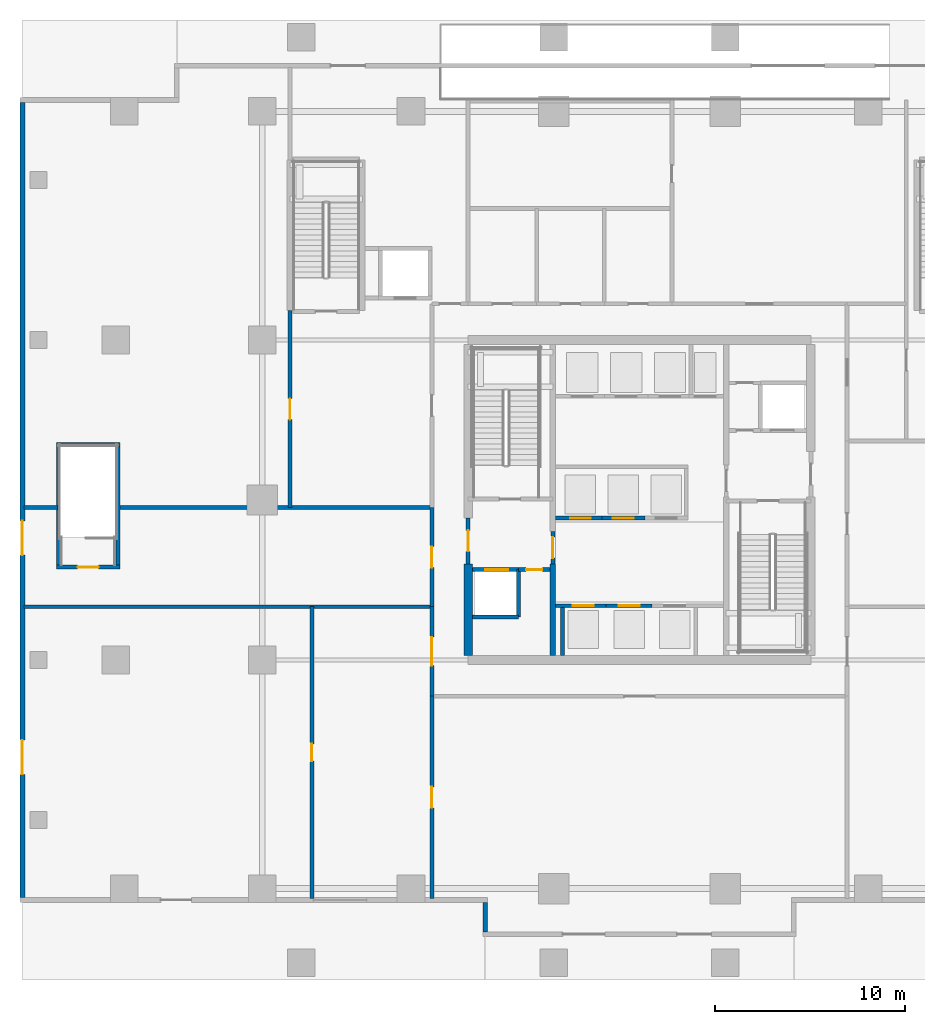
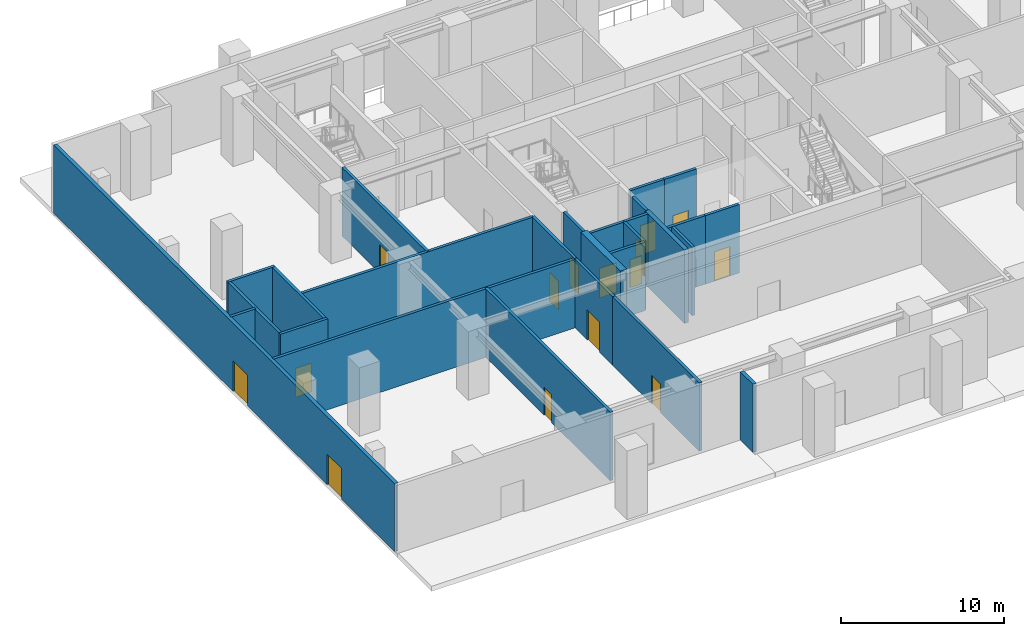
# One storey, part 3 of 15: 27 walls, 16 doors, 16 openings.
"""IFC4 building model written with IfcOpenShell, lengths in metres."""

from ifc_helpers import new_model, si_unit, direction, frame, frame_2d, origin, place, context, subcontext, project, spatial, rectangle, extrude, source, transform, mapped, material, layer, layer_set, type_object, element, fill, save


model = new_model("IFC4")

# Units and contexts
model_context = context("Model", 3, precision=1e-05, world=origin(), true_north=direction((0.0, 1.0)))
body_context = subcontext(model_context, "Body", "Model", "MODEL_VIEW")
ifc_project = project(units=[si_unit("LENGTHUNIT", "METRE"), si_unit("AREAUNIT", "SQUARE_METRE"), si_unit("VOLUMEUNIT", "CUBIC_METRE"), si_unit("PLANEANGLEUNIT", "RADIAN"), si_unit("MASSUNIT", "GRAM", prefix="KILO")], contexts=[model_context])

# Site, building, storey
site_placement = place(None, origin())
site = spatial("IfcSite", under=ifc_project, at=site_placement, CompositionType="ELEMENT")
building_placement = place(site_placement, origin())
building = spatial("IfcBuilding", under=site, at=building_placement, Name="Serunith Strait Residences", CompositionType="ELEMENT")
storey_placement = place(building_placement, origin())
storey = spatial("IfcBuildingStorey", under=building, at=storey_placement, Name="L00", CompositionType="ELEMENT", Elevation=0.0)

# Wall
ifc_material_1 = material(Name="Pale-Silver Aluminium Terracotta-Backed Wall", Category="masonry")
ifc_layer_1 = layer(ifc_material_1, 0.25, Name="Pale-Silver Aluminium Terracotta-Backed Wall")
ifc_layer_set_1 = layer_set([ifc_layer_1], Name="Pale-Silver Aluminium Terracotta-Backed Wall")
wall_type_1 = type_object("IfcWallType", Name="EW-POD-250", PredefinedType="ELEMENTEDWALL", material=ifc_layer_set_1)
wall_1_placement = place(storey_placement, frame((24.300048828125, 4.074951171875, 0.0), z_axis=(0.0, 0.0, 1.0), x_axis=(0.0, -1.0, 0.0)))
element("IfcWall", 1, at=wall_1_placement, inside=storey, type_object=wall_type_1, Name="L00 Podium Envelope Wall 2", PredefinedType="ELEMENTEDWALL", context=body_context, shape_type="SweptSolid", body=[
    extrude(rectangle(XDim=1.550048828125, YDim=0.25, at=frame_2d((0.77490234375, 0.0))), origin(), (0.0, 0.0, 1.0), 5.10498046875),
])

# Wall, openings, doors
wall_2_placement = place(storey_placement, frame((0.0, 46.074951171875, 0.0), z_axis=(0.0, 0.0, 1.0), x_axis=(0.0, -1.0, 0.0)))
wall_2 = element("IfcWall", 2, at=wall_2_placement, inside=storey, type_object=wall_type_1, Name="L00 Podium Envelope Wall 12", PredefinedType="ELEMENTEDWALL", context=body_context, shape_type="SweptSolid", body=[
    extrude(rectangle(XDim=41.75, YDim=0.25, at=frame_2d((20.875, 0.0))), origin(), (0.0, 0.0, 1.0), 5.10498046875),
])
opening_1_placement = place(wall_2_placement, frame((21.97509765625, 0.0, 0.0)))
opening_1 = element("IfcOpeningElement", 3, at=opening_1_placement, cuts=wall_2, Name="Opening EX-01", PredefinedType="OPENING", context=body_context, shape_type="SweptSolid", body=[
    extrude(rectangle(XDim=1.800048828125, YDim=2.300048828125, at=frame_2d((0.89990234375, 1.14990234375))), frame((0.0, 0.135009765625, 0.0), z_axis=(0.0, -1.0, 0.0), x_axis=(1.0, 0.0, 0.0)), (0.0, 0.0, 1.0), 0.27001953125),
])
opening_2_placement = place(wall_2_placement, frame((33.47509765625, 0.0, 0.0)))
opening_2 = element("IfcOpeningElement", 4, at=opening_2_placement, cuts=wall_2, Name="Opening EX-03", PredefinedType="OPENING", context=body_context, shape_type="SweptSolid", body=[
    extrude(rectangle(XDim=1.800048828125, YDim=2.300048828125, at=frame_2d((0.89990234375, 1.14990234375))), frame((0.0, 0.135009765625, 0.0), z_axis=(0.0, -1.0, 0.0), x_axis=(1.0, 0.0, 0.0)), (0.0, 0.0, 1.0), 0.27001953125),
])
ifc_material_2 = material(Name="Stainless Steel Glazed Exit Door", Category="steel")
door_type_1 = type_object("IfcDoorType", Name="ED-EXIT-1800", OperationType="NOTDEFINED", PredefinedType="DOOR", material=ifc_material_2)
shared_shape_1 = source(origin(), body_context, "Body", "SweptSolid", [
    extrude(rectangle(XDim=1.800048828125, YDim=2.300048828125, at=frame_2d((0.89990234375, 1.14990234375))), frame((0.0, 0.02490234375, 0.0), z_axis=(0.0, -1.0, 0.0), x_axis=(1.0, 0.0, 0.0)), (0.0, 0.0, 1.0), 0.050048828125),
])
door_1_placement = place(opening_1_placement, frame((1.800048828125, 0.0, 0.0), z_axis=(0.0, 0.0, 1.0), x_axis=(-1.0, 0.0, 0.0)))
door_1 = element("IfcDoor", 5, at=door_1_placement, inside=storey, type_object=door_type_1, Name="Ground Final Exit Door EX-01 (Exit Passage 1)", OperationType="DOUBLE_DOOR_SINGLE_SWING", OverallHeight=2.300048828125, OverallWidth=1.800048828125, PredefinedType="DOOR", context=body_context, shape_type="MappedRepresentation", body=[
    mapped(shared_shape_1, transform((0.0, 0.0, 0.0), scale=1.0)),
])
fill(opening_1, door_1)
door_2_placement = place(opening_2_placement, frame((1.800048828125, 0.0, 0.0), z_axis=(0.0, 0.0, 1.0), x_axis=(-1.0, 0.0, 0.0)))
door_2 = element("IfcDoor", 6, at=door_2_placement, inside=storey, type_object=door_type_1, Name="Ground Final Exit Door EX-03", OperationType="DOUBLE_DOOR_SINGLE_SWING", OverallHeight=2.300048828125, OverallWidth=1.800048828125, PredefinedType="DOOR", context=body_context, shape_type="MappedRepresentation", body=[
    mapped(shared_shape_1, transform((0.0, 0.0, 0.0), scale=1.0)),
])
fill(opening_2, door_2)

# Wall, opening, door
ifc_material_3 = material(Name="Reinforced masonry fire compartment wall", Category="masonry")
ifc_layer_2 = layer(ifc_material_3, 0.199951171875, Name="Reinforced masonry fire compartment wall")
ifc_layer_set_2 = layer_set([ifc_layer_2], Name="Reinforced masonry fire compartment wall")
wall_type_2 = type_object("IfcWallType", Name="IW-PASS-200", PredefinedType="STANDARD", material=ifc_layer_set_2)
wall_3_placement = place(storey_placement, frame((15.199951171875, 4.281982421875, 0.0), z_axis=(0.0, 0.0, 1.0), x_axis=(0.0, 1.0, 0.0)))
wall_3 = element("IfcWall", 7, at=wall_3_placement, inside=storey, type_object=wall_type_2, Name="L00 Partition Wall 013", PredefinedType="STANDARD", context=body_context, shape_type="SweptSolid", body=[
    extrude(rectangle(XDim=15.318115234375, YDim=0.199951171875, at=frame_2d((7.6591796875, 0.0))), origin(), (0.0, 0.0, 1.0), 5.1201171875),
])
opening_3_placement = place(wall_3_placement, frame((7.208984375, 0.0, 0.0)))
opening_3 = element("IfcOpeningElement", 8, at=opening_3_placement, cuts=wall_3, Name="Opening D-RM900", PredefinedType="OPENING", context=body_context, shape_type="SweptSolid", body=[
    extrude(rectangle(XDim=0.89990234375, YDim=2.10009765625, at=frame_2d((0.449951171875, 1.050048828125))), frame((0.0, 0.10986328125, 0.0), z_axis=(0.0, -1.0, 0.0), x_axis=(1.0, 0.0, 0.0)), (0.0, 0.0, 1.0), 0.219970703125),
])
ifc_material_4 = material(Name="Engineered timber flush bedroom door", Category="wood")
door_type_2 = type_object("IfcDoorType", Name="ID-ROOM-900", OperationType="NOTDEFINED", PredefinedType="DOOR", material=ifc_material_4)
shared_shape_2 = source(origin(), body_context, "Body", "SweptSolid", [
    extrude(rectangle(XDim=0.89990234375, YDim=2.10009765625, at=frame_2d((0.449951171875, 1.050048828125))), frame((0.0, 0.02490234375, 0.0), z_axis=(0.0, -1.0, 0.0), x_axis=(1.0, 0.0, 0.0)), (0.0, 0.0, 1.0), 0.050048828125),
])
door_3_placement = place(opening_3_placement, origin())
door_3 = element("IfcDoor", 9, at=door_3_placement, inside=storey, type_object=door_type_2, Name="L00 Retail West Corridor Door", OperationType="SINGLE_SWING_RIGHT", OverallHeight=2.10009765625, OverallWidth=0.89990234375, PredefinedType="DOOR", context=body_context, shape_type="MappedRepresentation", body=[
    mapped(shared_shape_2, transform((0.0, 0.0, 0.0), scale=1.0)),
])
fill(opening_3, door_3)

wall_4_placement = place(storey_placement, frame((21.5, 4.281982421875, 0.0), z_axis=(0.0, 0.0, 1.0), x_axis=(0.0, 1.0, 0.0)))
wall_4 = element("IfcWall", 10, at=wall_4_placement, inside=storey, type_object=wall_type_2, Name="L00 Partition Wall 014", PredefinedType="STANDARD", context=body_context, shape_type="SweptSolid", body=[
    extrude(rectangle(XDim=10.617919921875, YDim=0.199951171875, at=frame_2d((5.30908203125, 0.0))), origin(), (0.0, 0.0, 1.0), 5.1201171875),
])
opening_4_placement = place(wall_4_placement, frame((4.759033203125, 0.0, 0.0)))
opening_4 = element("IfcOpeningElement", 11, at=opening_4_placement, cuts=wall_4, Name="Opening FD-1100", PredefinedType="OPENING", context=body_context, shape_type="SweptSolid", body=[
    extrude(rectangle(XDim=1.10009765625, YDim=2.14990234375, at=frame_2d((0.550048828125, 1.074951171875))), frame((0.0, 0.10986328125, 0.0), z_axis=(0.0, -1.0, 0.0), x_axis=(1.0, 0.0, 0.0)), (0.0, 0.0, 1.0), 0.219970703125),
])
ifc_material_5 = material(Name="Galvanised steel fire door leaf", Category="steel")
door_type_3 = type_object("IfcDoorType", Name="FD-STAIR-1100", OperationType="NOTDEFINED", PredefinedType="DOOR", material=ifc_material_5)
shared_shape_3 = source(origin(), body_context, "Body", "SweptSolid", [
    extrude(rectangle(XDim=1.10009765625, YDim=2.14990234375, at=frame_2d((0.550048828125, 1.074951171875))), frame((0.0, 0.02490234375, 0.0), z_axis=(0.0, -1.0, 0.0), x_axis=(1.0, 0.0, 0.0)), (0.0, 0.0, 1.0), 0.050048828125),
])
door_4_placement = place(opening_4_placement, origin())
door_4 = element("IfcDoor", 12, at=door_4_placement, inside=storey, type_object=door_type_3, Name="Fire Command Room Door", OperationType="SINGLE_SWING_LEFT", OverallHeight=2.14990234375, OverallWidth=1.10009765625, PredefinedType="DOOR", context=body_context, shape_type="MappedRepresentation", body=[
    mapped(shared_shape_3, transform((0.0, 0.0, 0.0), scale=1.0)),
])
fill(opening_4, door_4)

# Walls
wall_5_placement = place(storey_placement, frame((0.08203125, 19.60009765625, 0.0), z_axis=(0.0, 0.0, 1.0), x_axis=(1.0, 0.0, 0.0)))
element("IfcWall", 13, at=wall_5_placement, inside=storey, type_object=wall_type_2, Name="L00 Partition Wall 016", PredefinedType="STANDARD", context=body_context, shape_type="SweptSolid", body=[
    extrude(rectangle(XDim=21.41796875, YDim=0.199951171875, at=frame_2d((10.708984375, 0.0))), origin(), (0.0, 0.0, 1.0), 5.1201171875),
])
wall_6_placement = place(storey_placement, frame((0.08203125, 24.800048828125, 0.0), z_axis=(0.0, 0.0, 1.0), x_axis=(1.0, 0.0, 0.0)))
element("IfcWall", 14, at=wall_6_placement, inside=storey, type_object=wall_type_2, Name="L00 Partition Wall 017", PredefinedType="STANDARD", context=body_context, shape_type="SweptSolid", body=[
    extrude(rectangle(XDim=1.76806640625, YDim=0.199951171875, at=frame_2d((0.884033203125, 0.0))), origin(), (0.0, 0.0, 1.0), 5.1201171875),
])
wall_7_placement = place(storey_placement, frame((5.080078125, 24.800048828125, 0.0), z_axis=(0.0, 0.0, 1.0), x_axis=(1.0, 0.0, 0.0)))
element("IfcWall", 15, at=wall_7_placement, inside=storey, type_object=wall_type_2, Name="L00 Partition Wall 018", PredefinedType="STANDARD", context=body_context, shape_type="SweptSolid", body=[
    extrude(rectangle(XDim=16.419921875, YDim=0.199951171875, at=frame_2d((8.2099609375, 0.0))), origin(), (0.0, 0.0, 1.0), 5.1201171875),
])

# Wall, opening, door
wall_8_placement = place(storey_placement, frame((21.5, 14.902099609375, 0.0), z_axis=(0.0, 0.0, 1.0), x_axis=(0.0, 1.0, 0.0)))
wall_8 = element("IfcWall", 16, at=wall_8_placement, inside=storey, type_object=wall_type_2, Name="L00 Partition Wall 023", PredefinedType="STANDARD", context=body_context, shape_type="SweptSolid", body=[
    extrude(rectangle(XDim=4.697998046875, YDim=0.199951171875, at=frame_2d((2.34912109375, 0.0))), origin(), (0.0, 0.0, 1.0), 5.1201171875),
])
opening_5_placement = place(wall_8_placement, frame((1.59912109375, 0.0, 0.0)))
opening_5 = element("IfcOpeningElement", 17, at=opening_5_placement, cuts=wall_8, Name="Opening D-POD1500", PredefinedType="OPENING", context=body_context, shape_type="SweptSolid", body=[
    extrude(rectangle(XDim=1.5, YDim=2.25, at=frame_2d((0.75, 1.125))), frame((0.0, 0.10986328125, 0.0), z_axis=(0.0, -1.0, 0.0), x_axis=(1.0, 0.0, 0.0)), (0.0, 0.0, 1.0), 0.219970703125),
])
ifc_material_6 = material(Name="Pale-champagne aluminium glazed double door", Category="aluminium")
door_type_4 = type_object("IfcDoorType", Name="ID-POD-1500", OperationType="DOUBLE_DOOR_SINGLE_SWING", PredefinedType="DOOR", material=ifc_material_6)
shared_shape_4 = source(origin(), body_context, "Body", "SweptSolid", [
    extrude(rectangle(XDim=1.5, YDim=2.25, at=frame_2d((0.75, 1.125))), frame((0.0, 0.02490234375, 0.0), z_axis=(0.0, -1.0, 0.0), x_axis=(1.0, 0.0, 0.0)), (0.0, 0.0, 1.0), 0.050048828125),
])
door_5_placement = place(opening_5_placement, origin())
door_5 = element("IfcDoor", 18, at=door_5_placement, inside=storey, type_object=door_type_4, Name="Waterfront Retail 01 Concourse Door", OperationType="DOUBLE_DOOR_SINGLE_SWING", OverallHeight=2.25, OverallWidth=1.5, PredefinedType="DOOR", context=body_context, shape_type="MappedRepresentation", body=[
    mapped(shared_shape_4, transform((0.0, 0.0, 0.0), scale=1.0)),
])
fill(opening_5, door_5)

wall_9_placement = place(storey_placement, frame((21.5, 19.60205078125, 0.0), z_axis=(0.0, 0.0, 1.0), x_axis=(0.0, 1.0, 0.0)))
wall_9 = element("IfcWall", 19, at=wall_9_placement, inside=storey, type_object=wall_type_2, Name="L00 Partition Wall 024", PredefinedType="STANDARD", context=body_context, shape_type="SweptSolid", body=[
    extrude(rectangle(XDim=5.197998046875, YDim=0.199951171875, at=frame_2d((2.59912109375, 0.0))), origin(), (0.0, 0.0, 1.0), 5.1201171875),
])
opening_6_placement = place(wall_9_placement, frame((2.049072265625, 0.0, 0.0)))
opening_6 = element("IfcOpeningElement", 20, at=opening_6_placement, cuts=wall_9, Name="Opening FD-1100", PredefinedType="OPENING", context=body_context, shape_type="SweptSolid", body=[
    extrude(rectangle(XDim=1.10009765625, YDim=2.14990234375, at=frame_2d((0.550048828125, 1.074951171875))), frame((0.0, 0.10986328125, 0.0), z_axis=(0.0, -1.0, 0.0), x_axis=(1.0, 0.0, 0.0)), (0.0, 0.0, 1.0), 0.219970703125),
])
door_6_placement = place(opening_6_placement, origin())
door_6 = element("IfcDoor", 21, at=door_6_placement, inside=storey, type_object=door_type_3, Name="Exit Passage 1 Concourse Door", OperationType="SINGLE_SWING_RIGHT", OverallHeight=2.14990234375, OverallWidth=1.10009765625, PredefinedType="DOOR", context=body_context, shape_type="MappedRepresentation", body=[
    mapped(shared_shape_3, transform((0.0, 0.0, 0.0), scale=1.0)),
])
fill(opening_6, door_6)

wall_10_placement = place(storey_placement, frame((14.050048828125, 24.800048828125, 0.0), z_axis=(0.0, 0.0, 1.0), x_axis=(0.0, 1.0, 0.0)))
wall_10 = element("IfcWall", 22, at=wall_10_placement, inside=storey, type_object=wall_type_2, Name="L00 Partition Wall 025", PredefinedType="STANDARD", context=body_context, shape_type="SweptSolid", body=[
    extrude(rectangle(XDim=10.347900390625, YDim=0.199951171875, at=frame_2d((5.173828125, 0.0))), origin(), (0.0, 0.0, 1.0), 5.1201171875),
])
opening_7_placement = place(wall_10_placement, frame((4.6240234375, 0.0, 0.0)))
opening_7 = element("IfcOpeningElement", 23, at=opening_7_placement, cuts=wall_10, Name="Opening FD-1100", PredefinedType="OPENING", context=body_context, shape_type="SweptSolid", body=[
    extrude(rectangle(XDim=1.10009765625, YDim=2.14990234375, at=frame_2d((0.550048828125, 1.074951171875))), frame((0.0, 0.10986328125, 0.0), z_axis=(0.0, -1.0, 0.0), x_axis=(1.0, 0.0, 0.0)), (0.0, 0.0, 1.0), 0.219970703125),
])
door_7_placement = place(opening_7_placement, origin())
door_7 = element("IfcDoor", 24, at=door_7_placement, inside=storey, type_object=door_type_3, Name="Promenade Cafe Exit Passage Door", OperationType="SINGLE_SWING_LEFT", OverallHeight=2.14990234375, OverallWidth=1.10009765625, PredefinedType="DOOR", context=body_context, shape_type="MappedRepresentation", body=[
    mapped(shared_shape_3, transform((0.0, 0.0, 0.0), scale=1.0)),
])
fill(opening_7, door_7)

ifc_material_7 = material(Name="Autoclaved aerated concrete blockwork", Category="masonry")
ifc_layer_3 = layer(ifc_material_7, 0.199951171875, Name="Autoclaved aerated concrete blockwork")
ifc_layer_set_3 = layer_set([ifc_layer_3], Name="Autoclaved aerated concrete blockwork")
wall_type_3 = type_object("IfcWallType", Name="IW-SHAFT-200", PredefinedType="STANDARD", material=ifc_layer_set_3)
wall_11_placement = place(storey_placement, frame((1.780029296875, 21.679931640625, 0.0), z_axis=(0.0, 0.0, 1.0), x_axis=(1.0, 0.0, 0.0)))
wall_11 = element("IfcWall", 25, at=wall_11_placement, inside=storey, type_object=wall_type_3, Name="L00 ST-5 South Shaft Wall", PredefinedType="STANDARD", context=body_context, shape_type="SweptSolid", body=[
    extrude(rectangle(XDim=3.340087890625, YDim=0.199951171875, at=frame_2d((1.669921875, 0.0))), origin(), (0.0, 0.0, 1.0), 5.1201171875),
])
opening_8_placement = place(wall_11_placement, frame((1.1201171875, 0.0, 0.0)))
opening_8 = element("IfcOpeningElement", 26, at=opening_8_placement, cuts=wall_11, Name="Opening FD-1100", PredefinedType="OPENING", context=body_context, shape_type="SweptSolid", body=[
    extrude(rectangle(XDim=1.10009765625, YDim=2.14990234375, at=frame_2d((0.550048828125, 1.074951171875))), frame((0.0, 0.10986328125, 0.0), z_axis=(0.0, -1.0, 0.0), x_axis=(1.0, 0.0, 0.0)), (0.0, 0.0, 1.0), 0.219970703125),
])
door_8_placement = place(opening_8_placement, origin())
door_8 = element("IfcDoor", 27, at=door_8_placement, inside=storey, type_object=door_type_3, Name="L00 ST-5 Escape Stair Door", OperationType="SINGLE_SWING_LEFT", OverallHeight=2.14990234375, OverallWidth=1.10009765625, PredefinedType="DOOR", context=body_context, shape_type="MappedRepresentation", body=[
    mapped(shared_shape_3, transform((0.0, 0.0, 0.0), scale=1.0)),
])
fill(opening_8, door_8)

# Walls
wall_12_placement = place(storey_placement, frame((1.780029296875, 28.1201171875, 0.0), z_axis=(0.0, 0.0, 1.0), x_axis=(1.0, 0.0, 0.0)))
element("IfcWall", 28, at=wall_12_placement, inside=storey, type_object=wall_type_3, Name="L00 ST-5 North Shaft Wall", PredefinedType="STANDARD", context=body_context, shape_type="SweptSolid", body=[
    extrude(rectangle(XDim=3.340087890625, YDim=0.199951171875, at=frame_2d((1.669921875, 0.0))), origin(), (0.0, 0.0, 1.0), 5.1201171875),
])
for number, where, z_axis, x_axis, name in (
    (29, (1.8798828125, 21.780029296875, 0.0), (0.0, 0.0, 1.0), (0.0, 1.0, 0.0), "L00 ST-5 West Shaft Wall"),
    (30, (5.02001953125, 21.780029296875, 0.0), (0.0, 0.0, 1.0), (0.0, 1.0, 0.0), "L00 ST-5 East Shaft Wall"),
):
    element("IfcWall", number, at=place(storey_placement, frame(where, z_axis=z_axis, x_axis=x_axis)), inside=storey, type_object=wall_type_3, Name=name, PredefinedType="STANDARD", context=body_context, shape_type="SweptSolid", body=[
        extrude(rectangle(XDim=6.239990234375, YDim=0.199951171875, at=frame_2d((3.1201171875, 0.0))), origin(), (0.0, 0.0, 1.0), 5.1201171875),
    ])

# Wall, opening, door
wall_13_placement = place(storey_placement, frame((23.625, 21.550048828125, 0.0), z_axis=(0.0, 0.0, 1.0), x_axis=(1.0, 0.0, 0.0)))
wall_13 = element("IfcWall", 31, at=wall_13_placement, inside=storey, type_object=wall_type_3, Name="L00 FL-1 North Shaft Wall", PredefinedType="STANDARD", context=body_context, shape_type="SweptSolid", body=[
    extrude(rectangle(XDim=2.425048828125, YDim=0.199951171875, at=frame_2d((1.21240234375, 0.0))), origin(), (0.0, 0.0, 1.0), 5.1201171875),
])
opening_9_placement = place(wall_13_placement, frame((0.675048828125, 0.0, 0.0)))
opening_9 = element("IfcOpeningElement", 32, at=opening_9_placement, cuts=wall_13, Name="Opening LD-FF1200", PredefinedType="OPENING", context=body_context, shape_type="SweptSolid", body=[
    extrude(rectangle(XDim=1.199951171875, YDim=2.199951171875, at=frame_2d((0.60009765625, 1.10009765625))), frame((0.0, 0.10986328125, 0.0), z_axis=(0.0, -1.0, 0.0), x_axis=(1.0, 0.0, 0.0)), (0.0, 0.0, 1.0), 0.219970703125),
])
ifc_material_8 = material(Name="Brushed stainless steel landing door", Category="steel")
door_type_5 = type_object("IfcDoorType", Name="LD-FF-1200", OperationType="DOUBLE_DOOR_SLIDING", PredefinedType="DOOR", material=ifc_material_8)
shared_shape_5 = source(origin(), body_context, "Body", "SweptSolid", [
    extrude(rectangle(XDim=1.199951171875, YDim=2.199951171875, at=frame_2d((0.60009765625, 1.10009765625))), frame((0.0, 0.02490234375, 0.0), z_axis=(0.0, -1.0, 0.0), x_axis=(1.0, 0.0, 0.0)), (0.0, 0.0, 1.0), 0.050048828125),
])
door_9_placement = place(opening_9_placement, origin())
door_9 = element("IfcDoor", 33, at=door_9_placement, inside=storey, type_object=door_type_5, Name="L00 FL-1 Landing Door", OperationType="DOUBLE_DOOR_SLIDING", OverallHeight=2.199951171875, OverallWidth=1.199951171875, PredefinedType="DOOR", context=body_context, shape_type="MappedRepresentation", body=[
    mapped(shared_shape_5, transform((0.0, 0.0, 0.0), scale=1.0)),
])
fill(opening_9, door_9)

wall_14_placement = place(storey_placement, frame((28.0, 19.64990234375, 0.0), z_axis=(0.0, 0.0, 1.0), x_axis=(1.0, 0.0, 0.0)))
wall_14 = element("IfcWall", 34, at=wall_14_placement, inside=storey, type_object=wall_type_3, Name="L00 PL-1 North Shaft Wall", PredefinedType="STANDARD", context=body_context, shape_type="SweptSolid", body=[
    extrude(rectangle(XDim=2.64990234375, YDim=0.199951171875, at=frame_2d((1.324951171875, 0.0))), origin(), (0.0, 0.0, 1.0), 5.1201171875),
])
opening_10_placement = place(wall_14_placement, frame((0.89990234375, 0.0, 0.0)))
opening_10 = element("IfcOpeningElement", 35, at=opening_10_placement, cuts=wall_14, Name="Opening LD-1100", PredefinedType="OPENING", context=body_context, shape_type="SweptSolid", body=[
    extrude(rectangle(XDim=1.10009765625, YDim=2.199951171875, at=frame_2d((0.550048828125, 1.10009765625))), frame((0.0, 0.10986328125, 0.0), z_axis=(0.0, -1.0, 0.0), x_axis=(1.0, 0.0, 0.0)), (0.0, 0.0, 1.0), 0.219970703125),
])
ifc_material_9 = material(Name="Pale-champagne stainless landing door")
door_type_6 = type_object("IfcDoorType", Name="LD-LIFT-1100", OperationType="DOUBLE_DOOR_SLIDING", PredefinedType="DOOR", material=ifc_material_9)
shared_shape_6 = source(origin(), body_context, "Body", "SweptSolid", [
    extrude(rectangle(XDim=1.10009765625, YDim=2.199951171875, at=frame_2d((0.550048828125, 1.10009765625))), frame((0.0, 0.02490234375, 0.0), z_axis=(0.0, -1.0, 0.0), x_axis=(1.0, 0.0, 0.0)), (0.0, 0.0, 1.0), 0.050048828125),
])
door_10_placement = place(opening_10_placement, origin())
door_10 = element("IfcDoor", 36, at=door_10_placement, inside=storey, type_object=door_type_6, Name="L00 PL-1 Landing Door", OperationType="DOUBLE_DOOR_SLIDING", OverallHeight=2.199951171875, OverallWidth=1.10009765625, PredefinedType="DOOR", context=body_context, shape_type="MappedRepresentation", body=[
    mapped(shared_shape_6, transform((0.0, 0.0, 0.0), scale=1.0)),
])
fill(opening_10, door_10)

# Wall
wall_15_placement = place(storey_placement, frame((28.35009765625, 17.02490234375, 0.0), z_axis=(0.0, 0.0, 1.0), x_axis=(0.0, 1.0, 0.0)))
element("IfcWall", 37, at=wall_15_placement, inside=storey, type_object=wall_type_3, Name="L00 PL-1 West Shaft Wall", PredefinedType="STANDARD", context=body_context, shape_type="SweptSolid", body=[
    extrude(rectangle(XDim=2.525146484375, YDim=0.199951171875, at=frame_2d((1.2626953125, 0.0))), origin(), (0.0, 0.0, 1.0), 5.1201171875),
])

# Wall, opening, door
wall_16_placement = place(storey_placement, frame((30.64990234375, 19.64990234375, 0.0), z_axis=(0.0, 0.0, 1.0), x_axis=(1.0, 0.0, 0.0)))
wall_16 = element("IfcWall", 38, at=wall_16_placement, inside=storey, type_object=wall_type_3, Name="L00 PL-2 North Shaft Wall", PredefinedType="STANDARD", context=body_context, shape_type="SweptSolid", body=[
    extrude(rectangle(XDim=2.400146484375, YDim=0.199951171875, at=frame_2d((1.2001953125, 0.0))), origin(), (0.0, 0.0, 1.0), 5.1201171875),
])
opening_11_placement = place(wall_16_placement, frame((0.64990234375, 0.0, 0.0)))
opening_11 = element("IfcOpeningElement", 39, at=opening_11_placement, cuts=wall_16, Name="Opening LD-1100", PredefinedType="OPENING", context=body_context, shape_type="SweptSolid", body=[
    extrude(rectangle(XDim=1.10009765625, YDim=2.199951171875, at=frame_2d((0.550048828125, 1.10009765625))), frame((0.0, 0.10986328125, 0.0), z_axis=(0.0, -1.0, 0.0), x_axis=(1.0, 0.0, 0.0)), (0.0, 0.0, 1.0), 0.219970703125),
])
door_11_placement = place(opening_11_placement, origin())
door_11 = element("IfcDoor", 40, at=door_11_placement, inside=storey, type_object=door_type_6, Name="L00 PL-2 Landing Door", OperationType="DOUBLE_DOOR_SLIDING", OverallHeight=2.199951171875, OverallWidth=1.10009765625, PredefinedType="DOOR", context=body_context, shape_type="MappedRepresentation", body=[
    mapped(shared_shape_6, transform((0.0, 0.0, 0.0), scale=1.0)),
])
fill(opening_11, door_11)

wall_17_placement = place(storey_placement, frame((28.0, 24.25, 0.0), z_axis=(0.0, 0.0, 1.0), x_axis=(1.0, 0.0, 0.0)))
wall_17 = element("IfcWall", 41, at=wall_17_placement, inside=storey, type_object=wall_type_3, Name="L00 PL-4 South Shaft Wall", PredefinedType="STANDARD", context=body_context, shape_type="SweptSolid", body=[
    extrude(rectangle(XDim=2.425048828125, YDim=0.199951171875, at=frame_2d((1.21240234375, 0.0))), origin(), (0.0, 0.0, 1.0), 5.1201171875),
])
opening_12_placement = place(wall_17_placement, frame((0.75, 0.0, 0.0)))
opening_12 = element("IfcOpeningElement", 42, at=opening_12_placement, cuts=wall_17, Name="Opening LD-1100", PredefinedType="OPENING", context=body_context, shape_type="SweptSolid", body=[
    extrude(rectangle(XDim=1.10009765625, YDim=2.199951171875, at=frame_2d((0.550048828125, 1.10009765625))), frame((0.0, 0.10986328125, 0.0), z_axis=(0.0, -1.0, 0.0), x_axis=(1.0, 0.0, 0.0)), (0.0, 0.0, 1.0), 0.219970703125),
])
door_12_placement = place(opening_12_placement, origin())
door_12 = element("IfcDoor", 43, at=door_12_placement, inside=storey, type_object=door_type_6, Name="L00 PL-4 Landing Door", OperationType="DOUBLE_DOOR_SLIDING", OverallHeight=2.199951171875, OverallWidth=1.10009765625, PredefinedType="DOOR", context=body_context, shape_type="MappedRepresentation", body=[
    mapped(shared_shape_6, transform((0.0, 0.0, 0.0), scale=1.0)),
])
fill(opening_12, door_12)

wall_18_placement = place(storey_placement, frame((30.425048828125, 24.25, 0.0), z_axis=(0.0, 0.0, 1.0), x_axis=(1.0, 0.0, 0.0)))
wall_18 = element("IfcWall", 44, at=wall_18_placement, inside=storey, type_object=wall_type_3, Name="L00 PL-5 South Shaft Wall", PredefinedType="STANDARD", context=body_context, shape_type="SweptSolid", body=[
    extrude(rectangle(XDim=2.25, YDim=0.199951171875, at=frame_2d((1.125, 0.0))), origin(), (0.0, 0.0, 1.0), 5.1201171875),
])
opening_13_placement = place(wall_18_placement, frame((0.574951171875, 0.0, 0.0)))
opening_13 = element("IfcOpeningElement", 45, at=opening_13_placement, cuts=wall_18, Name="Opening LD-1100", PredefinedType="OPENING", context=body_context, shape_type="SweptSolid", body=[
    extrude(rectangle(XDim=1.10009765625, YDim=2.199951171875, at=frame_2d((0.550048828125, 1.10009765625))), frame((0.0, 0.10986328125, 0.0), z_axis=(0.0, -1.0, 0.0), x_axis=(1.0, 0.0, 0.0)), (0.0, 0.0, 1.0), 0.219970703125),
])
door_13_placement = place(opening_13_placement, origin())
door_13 = element("IfcDoor", 46, at=door_13_placement, inside=storey, type_object=door_type_6, Name="L00 PL-5 Landing Door", OperationType="DOUBLE_DOOR_SLIDING", OverallHeight=2.199951171875, OverallWidth=1.10009765625, PredefinedType="DOOR", context=body_context, shape_type="MappedRepresentation", body=[
    mapped(shared_shape_6, transform((0.0, 0.0, 0.0), scale=1.0)),
])
fill(opening_13, door_13)

# Walls
wall_19_placement = place(storey_placement, frame((26.050048828125, 19.050048828125, 0.0), z_axis=(0.0, 0.0, 1.0), x_axis=(0.0, 1.0, 0.0)))
element("IfcWall", 47, at=wall_19_placement, inside=storey, type_object=wall_type_3, Name="L00 Partition Wall 001", PredefinedType="STANDARD", context=body_context, shape_type="SweptSolid", body=[
    extrude(rectangle(XDim=2.5, YDim=0.199951171875, at=frame_2d((1.25, 0.0))), origin(), (0.0, 0.0, 1.0), 5.1201171875),
])
wall_20_placement = place(storey_placement, frame((23.625, 19.050048828125, 0.0), z_axis=(0.0, 0.0, 1.0), x_axis=(1.0, 0.0, 0.0)))
element("IfcWall", 48, at=wall_20_placement, inside=storey, type_object=wall_type_3, Name="L00 Partition Wall 002", PredefinedType="STANDARD", context=body_context, shape_type="SweptSolid", body=[
    extrude(rectangle(XDim=2.425048828125, YDim=0.199951171875, at=frame_2d((1.21240234375, 0.0))), origin(), (0.0, 0.0, 1.0), 5.1201171875),
])

# Wall, opening, door
wall_21_placement = place(storey_placement, frame((26.052001953125, 21.550048828125, 0.0), z_axis=(0.0, 0.0, 1.0), x_axis=(1.0, 0.0, 0.0)))
wall_21 = element("IfcWall", 49, at=wall_21_placement, inside=storey, type_object=wall_type_3, Name="L00 Partition Wall 003", PredefinedType="STANDARD", context=body_context, shape_type="SweptSolid", body=[
    extrude(rectangle(XDim=1.64794921875, YDim=0.199951171875, at=frame_2d((0.823974609375, 0.0))), origin(), (0.0, 0.0, 1.0), 5.1201171875),
])
opening_14_placement = place(wall_21_placement, frame((0.39892578125, 0.0, 0.0)))
opening_14 = element("IfcOpeningElement", 50, at=opening_14_placement, cuts=wall_21, Name="Opening FD-850", PredefinedType="OPENING", context=body_context, shape_type="SweptSolid", body=[
    extrude(rectangle(XDim=0.85009765625, YDim=2.10009765625, at=frame_2d((0.425048828125, 1.050048828125))), frame((0.0, 0.10986328125, 0.0), z_axis=(0.0, -1.0, 0.0), x_axis=(1.0, 0.0, 0.0)), (0.0, 0.0, 1.0), 0.219970703125),
])
ifc_material_10 = material(Name="Powder-coated steel service closet door", Category="steel")
door_type_7 = type_object("IfcDoorType", Name="FD-BOH-850", OperationType="NOTDEFINED", PredefinedType="DOOR", material=ifc_material_10)
shared_shape_7 = source(origin(), body_context, "Body", "SweptSolid", [
    extrude(rectangle(XDim=0.85009765625, YDim=2.10009765625, at=frame_2d((0.425048828125, 1.050048828125))), frame((0.0, 0.02490234375, 0.0), z_axis=(0.0, -1.0, 0.0), x_axis=(1.0, 0.0, 0.0)), (0.0, 0.0, 1.0), 0.050048828125),
])
door_14_placement = place(opening_14_placement, origin())
door_14 = element("IfcDoor", 51, at=door_14_placement, inside=storey, type_object=door_type_7, Name="L00 South-West Core Service Door", OperationType="SINGLE_SWING_LEFT", OverallHeight=2.10009765625, OverallWidth=0.85009765625, PredefinedType="DOOR", context=body_context, shape_type="MappedRepresentation", body=[
    mapped(shared_shape_7, transform((0.0, 0.0, 0.0), scale=1.0)),
])
fill(opening_14, door_14)

wall_22_placement = place(storey_placement, frame((23.39990234375, 21.85205078125, 0.0), z_axis=(0.0, 0.0, 1.0), x_axis=(0.0, 1.0, 0.0)))
wall_22 = element("IfcWall", 52, at=wall_22_placement, inside=storey, type_object=wall_type_3, Name="L00 Partition Wall 007", PredefinedType="STANDARD", context=body_context, shape_type="SweptSolid", body=[
    extrude(rectangle(XDim=2.39599609375, YDim=0.199951171875, at=frame_2d((1.197998046875, 0.0))), origin(), (0.0, 0.0, 1.0), 5.1201171875),
])
opening_15_placement = place(wall_22_placement, frame((0.64794921875, 0.0, 0.0)))
opening_15 = element("IfcOpeningElement", 53, at=opening_15_placement, cuts=wall_22, Name="Opening FD-FFL", PredefinedType="OPENING", context=body_context, shape_type="SweptSolid", body=[
    extrude(rectangle(XDim=1.10009765625, YDim=2.14990234375, at=frame_2d((0.550048828125, 1.074951171875))), frame((0.0, 0.10986328125, 0.0), z_axis=(0.0, -1.0, 0.0), x_axis=(1.0, 0.0, 0.0)), (0.0, 0.0, 1.0), 0.219970703125),
])
ifc_material_11 = material(Name="Glazed steel smoke-lobby fire door", Category="steel")
door_type_8 = type_object("IfcDoorType", Name="FD-FFL-1100", OperationType="NOTDEFINED", PredefinedType="DOOR", material=ifc_material_11)
door_15_placement = place(opening_15_placement, origin())
door_15 = element("IfcDoor", 54, at=door_15_placement, inside=storey, type_object=door_type_8, Name="L00 FFL-1 Corridor Fire Door", OperationType="SINGLE_SWING_LEFT", OverallHeight=2.14990234375, OverallWidth=1.10009765625, PredefinedType="DOOR", context=body_context, shape_type="MappedRepresentation", body=[
    mapped(shared_shape_3, transform((0.0, 0.0, 0.0), scale=1.0)),
])
fill(opening_15, door_15)

wall_23_placement = place(storey_placement, frame((27.85009765625, 21.85205078125, 0.0), z_axis=(0.0, 0.0, 1.0), x_axis=(0.0, 1.0, 0.0)))
wall_23 = element("IfcWall", 55, at=wall_23_placement, inside=storey, type_object=wall_type_3, Name="L00 Partition Wall 009", PredefinedType="STANDARD", context=body_context, shape_type="SweptSolid", body=[
    extrude(rectangle(XDim=1.696044921875, YDim=0.199951171875, at=frame_2d((0.84814453125, 0.0))), origin(), (0.0, 0.0, 1.0), 5.1201171875),
])
opening_16_placement = place(wall_23_placement, frame((0.298095703125, 0.0, 0.0)))
opening_16 = element("IfcOpeningElement", 56, at=opening_16_placement, cuts=wall_23, Name="Opening FD-FFL", PredefinedType="OPENING", context=body_context, shape_type="SweptSolid", body=[
    extrude(rectangle(XDim=1.10009765625, YDim=2.14990234375, at=frame_2d((0.550048828125, 1.074951171875))), frame((0.0, 0.10986328125, 0.0), z_axis=(0.0, -1.0, 0.0), x_axis=(1.0, 0.0, 0.0)), (0.0, 0.0, 1.0), 0.219970703125),
])
door_16_placement = place(opening_16_placement, origin())
door_16 = element("IfcDoor", 57, at=door_16_placement, inside=storey, type_object=door_type_8, Name="L00 FFL-1 Lift Lobby Door", OperationType="SINGLE_SWING_LEFT", OverallHeight=2.14990234375, OverallWidth=1.10009765625, PredefinedType="DOOR", context=body_context, shape_type="MappedRepresentation", body=[
    mapped(shared_shape_3, transform((0.0, 0.0, 0.0), scale=1.0)),
])
fill(opening_16, door_16)

# Walls
ifc_material_12 = material(Name="Concrete C80/95", Category="concrete")
ifc_layer_4 = layer(ifc_material_12, 0.300048828125, Name="Concrete C80/95")
ifc_layer_set_4 = layer_set([ifc_layer_4], Name="Concrete C80/95")
wall_type_4 = type_object("IfcWallType", Name="SW-300-C80", PredefinedType="SHEAR", material=ifc_layer_set_4)
wall_24_placement = place(storey_placement, frame((27.85009765625, 17.02490234375, -0.3798828125), z_axis=(0.0, 0.0, 1.0), x_axis=(0.0, 1.0, 0.0)))
element("IfcWall", 58, at=wall_24_placement, inside=storey, type_object=wall_type_4, Name="L00 Core Internal West Web South Pier", PredefinedType="SHEAR", context=body_context, shape_type="SweptSolid", body=[
    extrude(rectangle(XDim=4.8251953125, YDim=0.300048828125, at=frame_2d((2.41259765625, 0.0))), origin(), (0.0, 0.0, 1.0), 5.497802734375),
])
ifc_layer_5 = layer(ifc_material_12, 0.449951171875, Name="Concrete C80/95")
ifc_layer_set_5 = layer_set([ifc_layer_5], Name="Concrete C80/95")
wall_type_5 = type_object("IfcWallType", Name="SW-450-C80", PredefinedType="SHEAR", material=ifc_layer_set_5)
wall_25_placement = place(storey_placement, frame((23.39990234375, 17.02490234375, -0.3798828125), z_axis=(0.0, 0.0, 1.0), x_axis=(0.0, 1.0, 0.0)))
element("IfcWall", 59, at=wall_25_placement, inside=storey, type_object=wall_type_5, Name="L00 Core West Shear Wall South Pier", PredefinedType="SHEAR", context=body_context, shape_type="SweptSolid", body=[
    extrude(rectangle(XDim=4.8251953125, YDim=0.449951171875, at=frame_2d((2.41259765625, 0.0))), origin(), (0.0, 0.0, 1.0), 5.497802734375),
])

save(model, "model.ifc")
